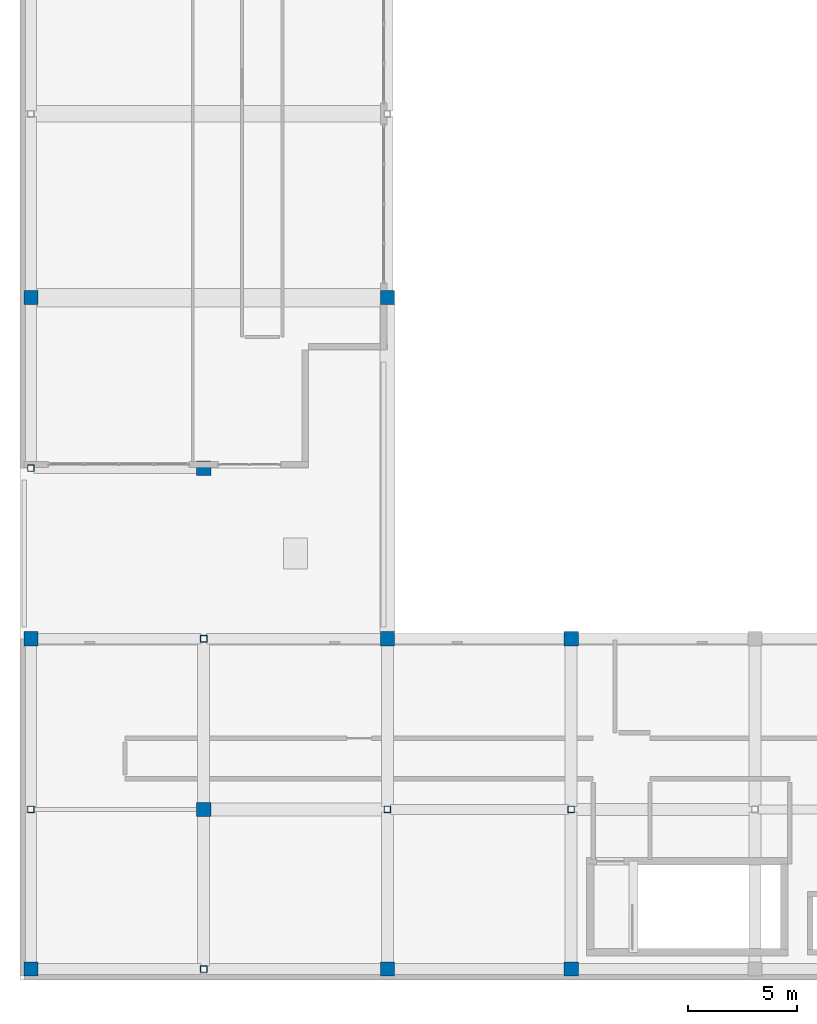
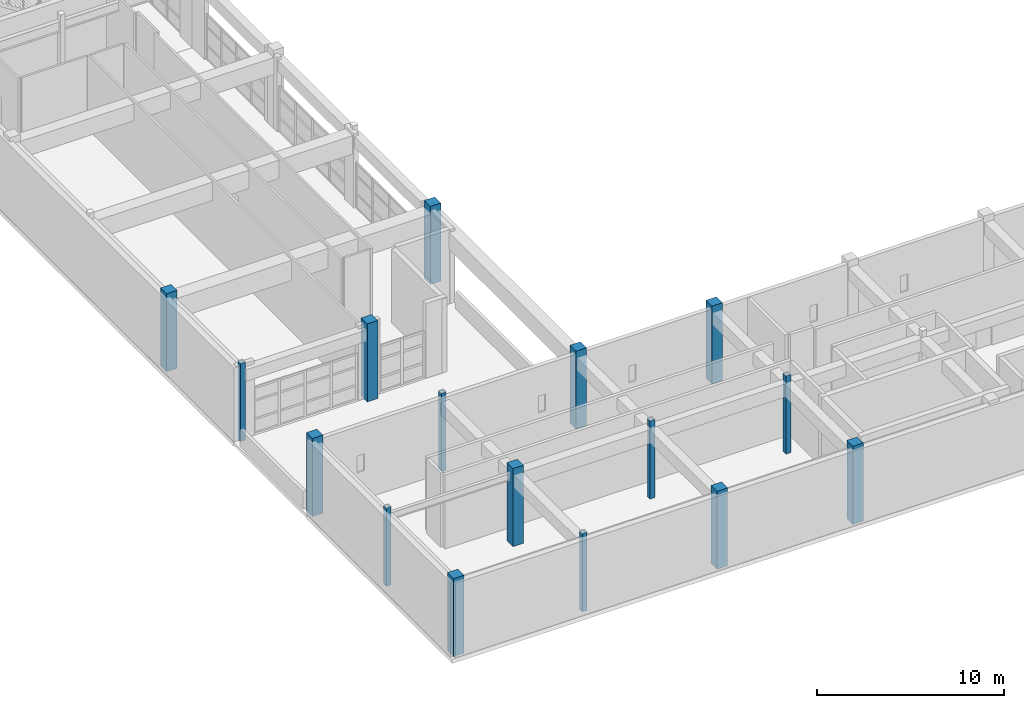
# One storey, part 1 of 78: 16 columns.
"""IFC4 building model written with IfcOpenShell, lengths in metres."""

from ifc_helpers import new_model, si_unit, direction, frame, origin, origin_2d, place, context, subcontext, project, spatial, rectangle, hollow_rectangle, extrude, material, material_profile, profile_set, type_object, element, save


model = new_model("IFC4")

# Units and contexts
model_context = context("Model", 3, precision=1e-05, world=origin(), true_north=direction((0.0, 1.0)))
body_context = subcontext(model_context, "Body", "Model", "MODEL_VIEW")
ifc_project = project(units=[si_unit("LENGTHUNIT", "METRE"), si_unit("AREAUNIT", "SQUARE_METRE"), si_unit("VOLUMEUNIT", "CUBIC_METRE"), si_unit("PLANEANGLEUNIT", "RADIAN"), si_unit("MASSUNIT", "GRAM", prefix="KILO")], contexts=[model_context])

# Site, building, storey
site_placement = place(None, origin())
site = spatial("IfcSite", under=ifc_project, at=site_placement, CompositionType="ELEMENT")
building_placement = place(site_placement, origin())
building = spatial("IfcBuilding", under=site, at=building_placement, Name="Quendrovan Civic Courthouse", CompositionType="ELEMENT")
storey_placement = place(building_placement, frame((0.0, 0.0, 20.39990234375)))
storey = spatial("IfcBuildingStorey", under=building, at=storey_placement, Name="L05", CompositionType="ELEMENT", Elevation=20.39990234375)

# Columns
ifc_material_1 = material(Name="Concrete C45/55", Category="concrete")
ifc_material_profile_1 = material_profile(ifc_material_1, rectangle(XDim=0.64990234375, YDim=0.64990234375, at=origin_2d()), Name="RC-COL-650x650")
ifc_profile_set_1 = profile_set([ifc_material_profile_1], Name="Concrete C45/55")
column_type_1 = type_object("IfcColumnType", Name="COL-RC650", PredefinedType="COLUMN", material=ifc_profile_set_1)
for number, where, z_axis, x_axis, name in (
    (1, (0.5, 0.5, 0.0), (0.0, 0.0, 1.0), (1.0, 0.0, 0.0), "L05 Column 1-A"),
    (2, (0.5, 15.60009765625, 0.0), (0.0, 0.0, 1.0), (1.0, 0.0, 0.0), "L05 Column 1-C"),
    (3, (0.5, 31.199951171875, 0.0), (0.0, 0.0, 1.0), (1.0, 0.0, 0.0), "L05 Column 1-E"),
    (4, (8.39990234375, 7.800048828125, 0.0), (0.0, 0.0, 1.0), (1.0, 0.0, 0.0), "L05 Column 2-B"),
    (5, (8.39990234375, 23.39990234375, 0.0), (0.0, 0.0, 1.0), (1.0, 0.0, 0.0), "L05 Column 2-D"),
    (6, (16.800048828125, 0.5, 0.0), (0.0, 0.0, 1.0), (1.0, 0.0, 0.0), "L05 Column 3-A"),
    (7, (16.800048828125, 15.60009765625, 0.0), (0.0, 0.0, 1.0), (1.0, 0.0, 0.0), "L05 Column 3-C"),
    (8, (16.800048828125, 31.199951171875, 0.0), (0.0, 0.0, 1.0), (1.0, 0.0, 0.0), "L05 Column 3-E"),
    (9, (25.199951171875, 0.5, 0.0), (0.0, 0.0, 1.0), (1.0, 0.0, 0.0), "L05 Column 4-A"),
    (10, (25.199951171875, 15.60009765625, 0.0), (0.0, 0.0, 1.0), (1.0, 0.0, 0.0), "L05 Column 4-C"),
):
    element("IfcColumn", number, at=place(storey_placement, frame(where, z_axis=z_axis, x_axis=x_axis)), inside=storey, type_object=column_type_1, Name=name, PredefinedType="COLUMN", context=body_context, shape_type="SweptSolid", body=[
        extrude(rectangle(XDim=0.64990234375, YDim=0.64990234375, at=origin_2d()), origin(), (0.0, 0.0, 1.0), 5.10009765625),
    ])
ifc_material_2 = material(Name="Steel ASTM A500 Grade C", Category="steel")
ifc_material_profile_2 = material_profile(ifc_material_2, hollow_rectangle(XDim=0.300048828125, YDim=0.300048828125, WallThickness=0.011962890625, at=origin_2d()), Name="HSS300x300x12")
ifc_profile_set_2 = profile_set([ifc_material_profile_2], Name="Steel ASTM A500 Grade C")
column_type_2 = type_object("IfcColumnType", Name="COL-STL-HSS300S", PredefinedType="COLUMN", material=ifc_profile_set_2)
for number, where, z_axis, x_axis, name in (
    (11, (0.5, 7.800048828125, 0.0), (0.0, 0.0, 1.0), (1.0, 0.0, 0.0), "L05 Column 1-B"),
    (12, (0.5, 23.39990234375, 0.0), (0.0, 0.0, 1.0), (1.0, 0.0, 0.0), "L05 Column 1-D"),
    (13, (8.39990234375, 0.5, 0.0), (0.0, 0.0, 1.0), (1.0, 0.0, 0.0), "L05 Column 2-A"),
    (14, (8.39990234375, 15.60009765625, 0.0), (0.0, 0.0, 1.0), (1.0, 0.0, 0.0), "L05 Column 2-C"),
    (15, (16.800048828125, 7.800048828125, 0.0), (0.0, 0.0, 1.0), (1.0, 0.0, 0.0), "L05 Column 3-B"),
    (16, (25.199951171875, 7.800048828125, 0.0), (0.0, 0.0, 1.0), (1.0, 0.0, 0.0), "L05 Column 4-B"),
):
    element("IfcColumn", number, at=place(storey_placement, frame(where, z_axis=z_axis, x_axis=x_axis)), inside=storey, type_object=column_type_2, Name=name, PredefinedType="COLUMN", context=body_context, shape_type="SweptSolid", body=[
        extrude(hollow_rectangle(XDim=0.300048828125, YDim=0.300048828125, WallThickness=0.011962890625, at=origin_2d()), origin(), (0.0, 0.0, 1.0), 5.10009765625),
    ])

save(model, "model.ifc")
